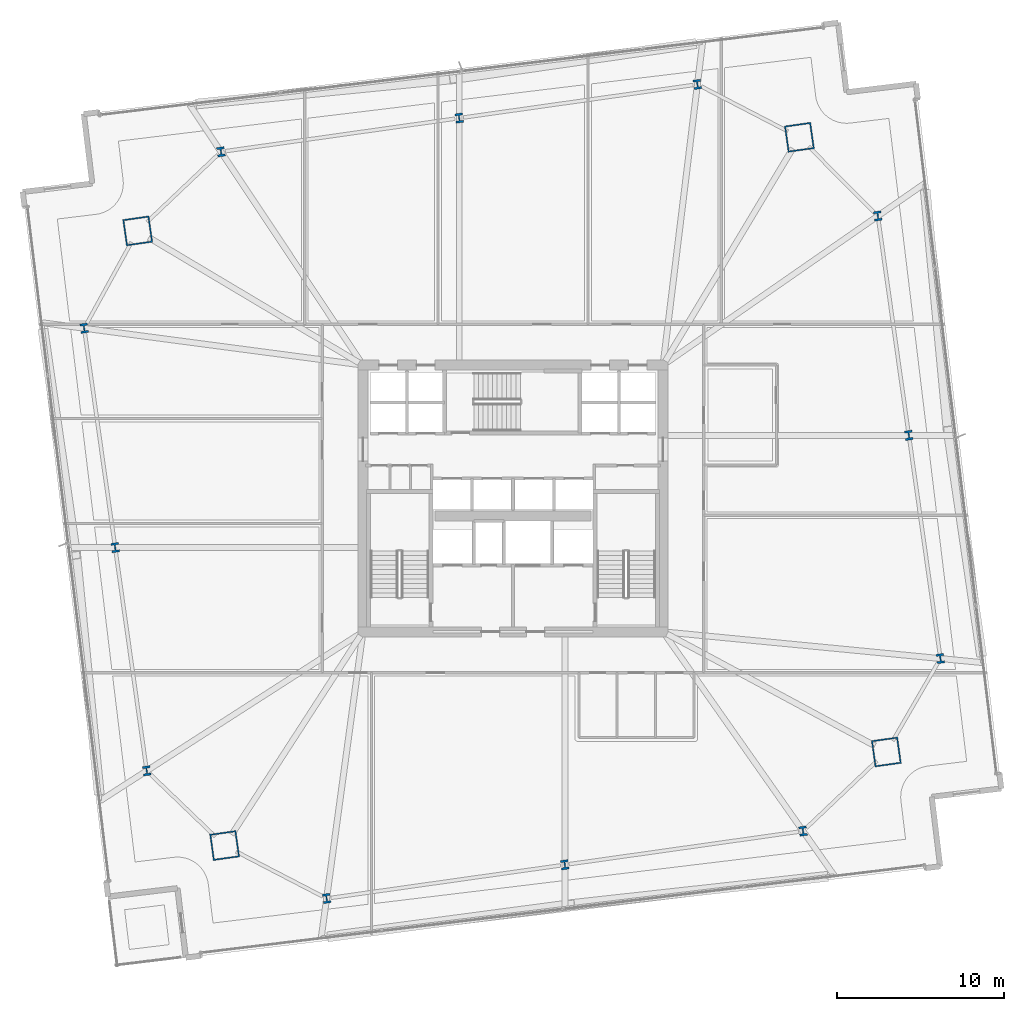
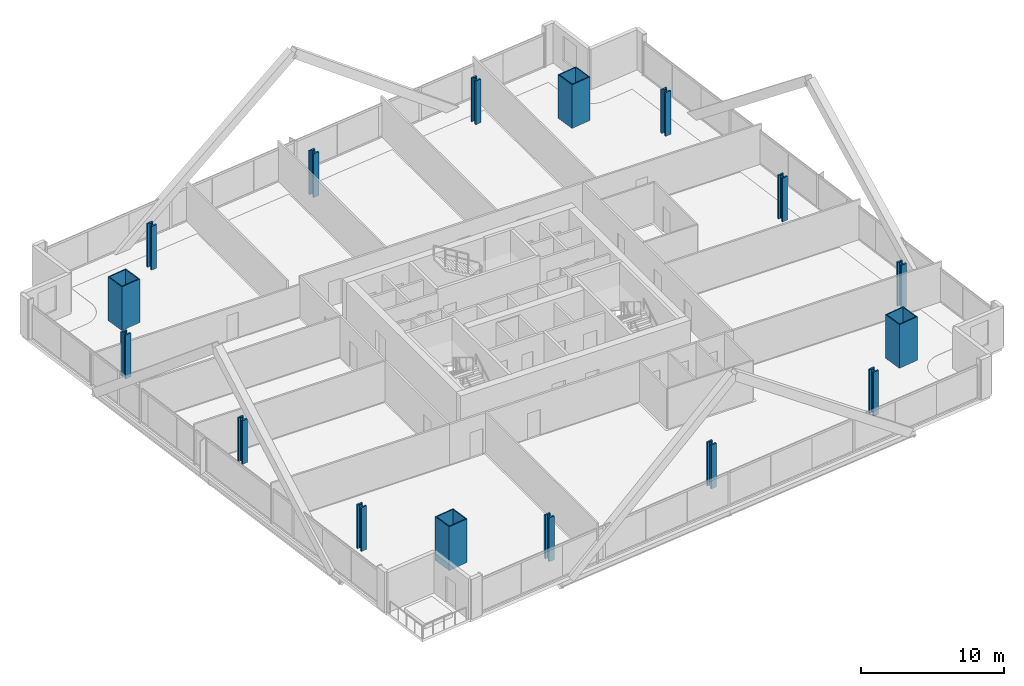
# One storey, part 1 of 33: 16 columns.
"""IFC4 building model written with IfcOpenShell, lengths in metres."""

from ifc_helpers import new_model, si_unit, direction, frame, origin, origin_2d, place, context, subcontext, project, spatial, hollow_rectangle, i_section, extrude, material, material_profile, profile_set, type_object, element, save


model = new_model("IFC4")

# Units and contexts
model_context = context("Model", 3, precision=1e-05, world=origin(), true_north=direction((0.0, 1.0)))
body_context = subcontext(model_context, "Body", "Model", "MODEL_VIEW")
ifc_project = project(units=[si_unit("LENGTHUNIT", "METRE"), si_unit("AREAUNIT", "SQUARE_METRE"), si_unit("VOLUMEUNIT", "CUBIC_METRE"), si_unit("PLANEANGLEUNIT", "RADIAN"), si_unit("MASSUNIT", "GRAM", prefix="KILO")], contexts=[model_context])

# Site, building, storey
site_placement = place(None, origin())
site = spatial("IfcSite", under=ifc_project, at=site_placement, CompositionType="ELEMENT")
building_placement = place(site_placement, origin())
building = spatial("IfcBuilding", under=site, at=building_placement, Name="Haldenkirk Collegiate Tower", CompositionType="ELEMENT")
storey_placement = place(building_placement, frame((0.0, 0.0, 51.449951171875)))
storey = spatial("IfcBuildingStorey", under=building, at=storey_placement, Name="L11", CompositionType="ELEMENT", Elevation=51.449951171875)

# Columns
ifc_material_1 = material(Name="Steel ASTM A913 Grade 65", Category="steel")
ifc_material_profile_1 = material_profile(ifc_material_1, i_section(OverallWidth=0.4541015625, OverallDepth=0.569091796875, WebThickness=0.077880859375, FlangeThickness=0.124755859375, at=origin_2d()), Name="W14X730")
ifc_profile_set_1 = profile_set([ifc_material_profile_1], Name="Steel ASTM A913 Grade 65")
column_type_1 = type_object("IfcColumnType", Name="COL-INT-W14X730", PredefinedType="COLUMN", material=ifc_profile_set_1)
for number, where, z_axis, x_axis, name in (
    (1, (24.815185546875, 1.997314453125, 0.0), (0.0, 0.0, 1.0), (0.990146240249, 0.140037219771, 0.0), "L11 perimeter gravity column PC-S1"),
    (2, (39.10888671875, 4.018798828125, 0.0), (0.0, 0.0, 1.0), (0.990146240249, 0.140037219771, 0.0), "L11 perimeter gravity column PC-S2"),
    (3, (53.402587890625, 6.040283203125, 0.0), (0.0, 0.0, 1.0), (0.990146240249, 0.140037219771, 0.0), "L11 perimeter gravity column PC-S3"),
    (4, (61.648193359375, 16.39306640625, 0.0), (0.0, 0.0, 1.0), (0.990146240249, 0.140037219771, 0.0), "L11 perimeter gravity column PC-E1"),
    (5, (59.75341796875, 29.788818359375, 0.0), (0.0, 0.0, 1.0), (0.990146240249, 0.140037219771, 0.0), "L11 perimeter gravity column PC-E2"),
    (6, (57.892333984375, 42.94873046875, 0.0), (0.0, 0.0, 1.0), (0.990146240249, 0.140037219771, 0.0), "L11 perimeter gravity column PC-E3"),
    (7, (47.06591796875, 50.844482421875, 0.0), (0.0, 0.0, 1.0), (0.990146240249, 0.140037219771, 0.0), "L11 perimeter gravity column PC-N1"),
    (8, (32.772216796875, 48.822998046875, 0.0), (0.0, 0.0, 1.0), (0.990146240249, 0.140037219771, 0.0), "L11 perimeter gravity column PC-N2"),
    (9, (18.478515625, 46.80126953125, 0.0), (0.0, 0.0, 1.0), (0.990146240249, 0.140037219771, 0.0), "L11 perimeter gravity column PC-N3"),
    (10, (10.26611328125, 36.212890625, 0.0), (0.0, 0.0, 1.0), (0.990146240249, 0.140037219771, 0.0), "L11 perimeter gravity column PC-W1"),
    (11, (12.12744140625, 23.052978515625, 0.0), (0.0, 0.0, 1.0), (0.990146240249, 0.140037219771, 0.0), "L11 perimeter gravity column PC-W2"),
    (12, (14.02197265625, 9.6572265625, 0.0), (0.0, 0.0, 1.0), (0.990146240249, 0.140037219771, 0.0), "L11 perimeter gravity column PC-W3"),
):
    element("IfcColumn", number, at=place(storey_placement, frame(where, z_axis=z_axis, x_axis=x_axis)), inside=storey, type_object=column_type_1, Name=name, PredefinedType="COLUMN", context=body_context, shape_type="SweptSolid", body=[
        extrude(i_section(OverallWidth=0.4541015625, OverallDepth=0.569091796875, WebThickness=0.077880859375, FlangeThickness=0.124755859375, at=origin_2d()), origin(), (0.0, 0.0, 1.0), 3.75),
    ])
ifc_material_2 = material(Name="Steel ASTM A572 Grade 50", Category="steel")
ifc_material_profile_2 = material_profile(ifc_material_2, hollow_rectangle(XDim=1.60009765625, YDim=1.60009765625, WallThickness=0.080078125, at=origin_2d()), Name="BOX1600X1600X80")
ifc_profile_set_2 = profile_set([ifc_material_profile_2], Name="Steel ASTM A572 Grade 50")
column_type_2 = type_object("IfcColumnType", Name="COL-MEGA-BOX1600X1600X80", PredefinedType="COLUMN", material=ifc_profile_set_2)
for number, where, z_axis, x_axis, name in (
    (13, (18.6962890625, 5.171630859375, 0.0), (0.0, 0.0, 1.0), (0.990146240249, 0.140037219771, 0.0), "L11 corner mega-column MC1"),
    (14, (58.401123046875, 10.787109375, 0.0), (0.0, 0.0, 1.0), (0.990146240249, 0.140037219771, 0.0), "L11 corner mega-column MC2"),
    (15, (53.184814453125, 47.669921875, 0.0), (0.0, 0.0, 1.0), (0.990146240249, 0.140037219771, 0.0), "L11 corner mega-column MC3"),
    (16, (13.47998046875, 42.054443359375, 0.0), (0.0, 0.0, 1.0), (0.990146240249, 0.140037219771, 0.0), "L11 corner mega-column MC4"),
):
    element("IfcColumn", number, at=place(storey_placement, frame(where, z_axis=z_axis, x_axis=x_axis)), inside=storey, type_object=column_type_2, Name=name, PredefinedType="COLUMN", context=body_context, shape_type="SweptSolid", body=[
        extrude(hollow_rectangle(XDim=1.60009765625, YDim=1.60009765625, WallThickness=0.080078125, at=origin_2d()), origin(), (0.0, 0.0, 1.0), 3.75),
    ])

save(model, "model.ifc")
